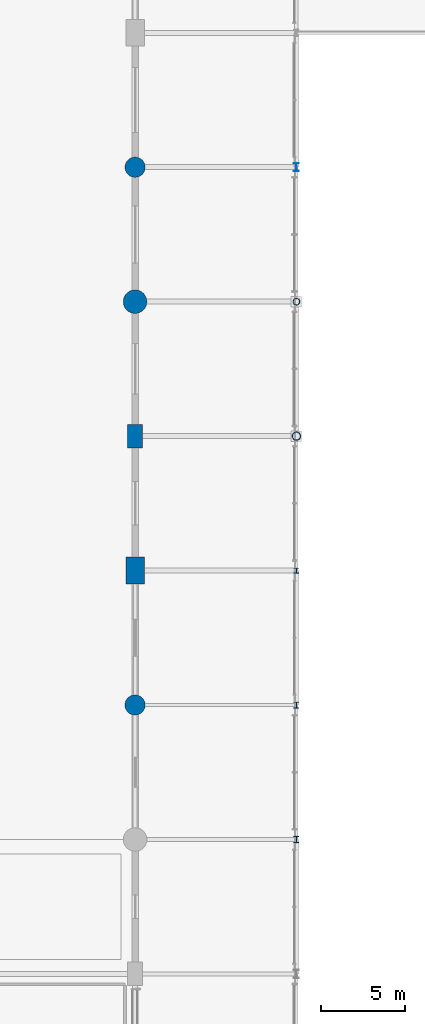
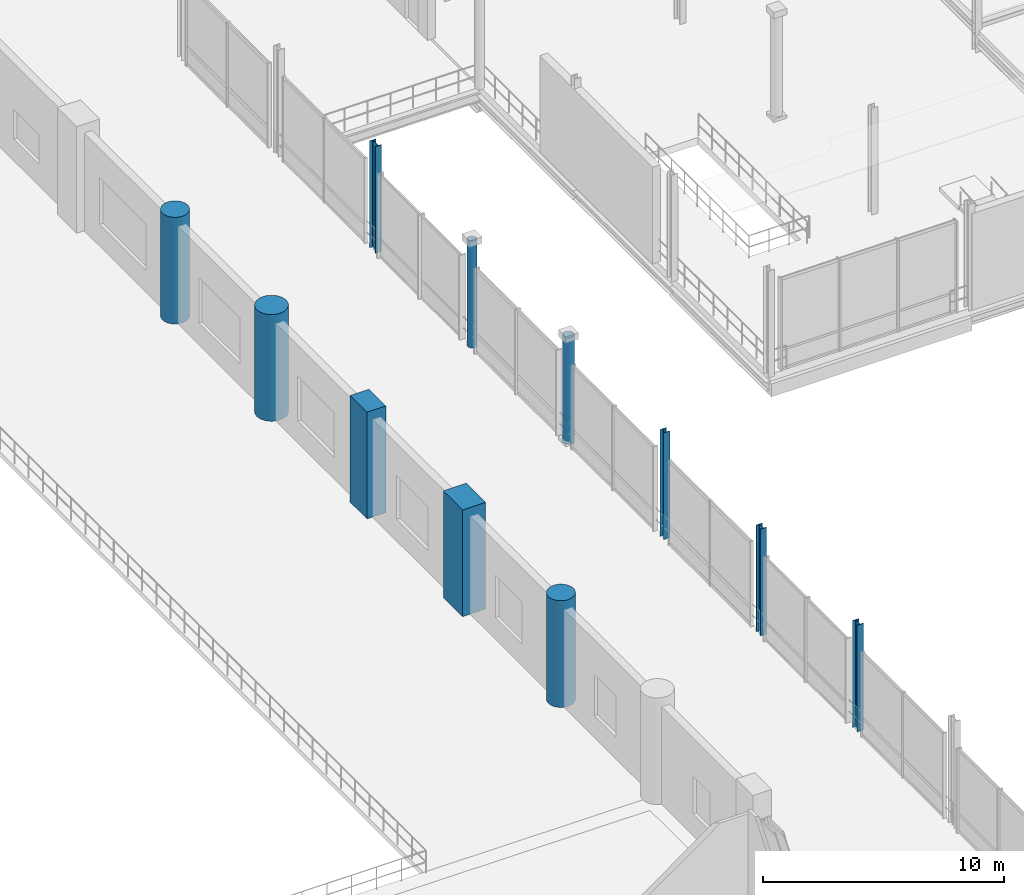
# One storey, part 10 of 129: 11 columns.
"""IFC4 building model written with IfcOpenShell, lengths in metres."""

from ifc_helpers import new_model, si_unit, direction, frame, origin, origin_2d, place, context, subcontext, project, spatial, rectangle, circle, hollow_circle, i_section, extrude, material, material_profile, profile_set, type_object, element, save


model = new_model("IFC4")

# Units and contexts
model_context = context("Model", 3, precision=1e-05, world=origin(), true_north=direction((0.0, 1.0)))
body_context = subcontext(model_context, "Body", "Model", "MODEL_VIEW")
ifc_project = project(units=[si_unit("LENGTHUNIT", "METRE"), si_unit("AREAUNIT", "SQUARE_METRE"), si_unit("VOLUMEUNIT", "CUBIC_METRE"), si_unit("PLANEANGLEUNIT", "RADIAN"), si_unit("MASSUNIT", "GRAM", prefix="KILO")], contexts=[model_context])

# Site, building, storey
site_placement = place(None, origin())
site = spatial("IfcSite", under=ifc_project, at=site_placement, CompositionType="ELEMENT")
building_placement = place(site_placement, origin())
building = spatial("IfcBuilding", under=site, at=building_placement, Name="Danafjord Basin Convention Centre", CompositionType="ELEMENT")
storey_placement = place(building_placement, frame((0.0, 0.0, 6.0)))
storey = spatial("IfcBuildingStorey", under=building, at=storey_placement, Name="L01", CompositionType="ELEMENT", Elevation=6.0)

# Columns
ifc_material_1 = material(Name="Steel S355", Category="steel")
ifc_material_profile_1 = material_profile(ifc_material_1, hollow_circle(Radius=0.203125, WallThickness=0.02001953125, at=origin_2d()), Name="CHS 406.4x20.0")
ifc_profile_set_1 = profile_set([ifc_material_profile_1], Name="Steel S355")
column_type_1 = type_object("IfcColumnType", Name="COL-C-CHS406", PredefinedType="COLUMN", material=ifc_profile_set_1)
column_1_placement = place(storey_placement, frame((124.800048828125, 96.0, 0.0), z_axis=(0.0, 0.0, 1.0), x_axis=(1.0, 0.0, 0.0)))
element("IfcColumn", 1, at=column_1_placement, inside=storey, type_object=column_type_1, Name="L01 column C-CHS406 at (124.8, 96.0)", PredefinedType="COLUMN", context=body_context, shape_type="SweptSolid", body=[
    extrude(hollow_circle(Radius=0.203125, WallThickness=0.02001953125, at=origin_2d()), origin(), (0.0, 0.0, 1.0), 5.39990234375),
])
ifc_material_profile_2 = material_profile(ifc_material_1, hollow_circle(Radius=0.25390625, WallThickness=0.02490234375, at=origin_2d()), Name="CHS 508.0x25.0")
ifc_profile_set_2 = profile_set([ifc_material_profile_2], Name="Steel S355")
column_type_2 = type_object("IfcColumnType", Name="COL-C-CHS508", PredefinedType="COLUMN", material=ifc_profile_set_2)
column_2_placement = place(storey_placement, frame((124.800048828125, 88.0, 0.0), z_axis=(0.0, 0.0, 1.0), x_axis=(1.0, 0.0, 0.0)))
element("IfcColumn", 2, at=column_2_placement, inside=storey, type_object=column_type_2, Name="L01 column C-CHS508 at (124.8, 88.0)", PredefinedType="COLUMN", context=body_context, shape_type="SweptSolid", body=[
    extrude(hollow_circle(Radius=0.25390625, WallThickness=0.02490234375, at=origin_2d()), origin(), (0.0, 0.0, 1.0), 5.39990234375),
])
ifc_material_profile_3 = material_profile(ifc_material_1, i_section(OverallWidth=0.300048828125, OverallDepth=0.300048828125, WebThickness=0.010986328125, FlangeThickness=0.01904296875, FilletRadius=0.027099609375, at=origin_2d()), Name="HEB 300")
ifc_profile_set_3 = profile_set([ifc_material_profile_3], Name="Steel S355")
column_type_3 = type_object("IfcColumnType", Name="COL-C-HEB300", PredefinedType="COLUMN", material=ifc_profile_set_3)
column_3_placement = place(storey_placement, frame((124.800048828125, 80.0, 0.0), z_axis=(0.0, 0.0, 1.0), x_axis=(1.0, 0.0, 0.0)))
element("IfcColumn", 3, at=column_3_placement, inside=storey, type_object=column_type_3, Name="L01 column C-HEB300 at (124.8, 80.0)", PredefinedType="COLUMN", context=body_context, shape_type="SweptSolid", body=[
    extrude(i_section(OverallWidth=0.300048828125, OverallDepth=0.300048828125, WebThickness=0.010986328125, FlangeThickness=0.01904296875, FilletRadius=0.027099609375, at=origin_2d()), origin(), (0.0, 0.0, 1.0), 5.39990234375),
])
ifc_material_profile_4 = material_profile(ifc_material_1, i_section(OverallWidth=0.300048828125, OverallDepth=0.360107421875, WebThickness=0.012451171875, FlangeThickness=0.0224609375, FilletRadius=0.027099609375, at=origin_2d()), Name="HEB 360")
ifc_profile_set_4 = profile_set([ifc_material_profile_4], Name="Steel S355")
column_type_4 = type_object("IfcColumnType", Name="COL-C-HEB360", PredefinedType="COLUMN", material=ifc_profile_set_4)
column_4_placement = place(storey_placement, frame((124.800048828125, 72.0, 0.0), z_axis=(0.0, 0.0, 1.0), x_axis=(1.0, 0.0, 0.0)))
element("IfcColumn", 4, at=column_4_placement, inside=storey, type_object=column_type_4, Name="L01 column C-HEB360 at (124.8, 72.0)", PredefinedType="COLUMN", context=body_context, shape_type="SweptSolid", body=[
    extrude(i_section(OverallWidth=0.300048828125, OverallDepth=0.360107421875, WebThickness=0.012451171875, FlangeThickness=0.0224609375, FilletRadius=0.027099609375, at=origin_2d()), origin(), (0.0, 0.0, 1.0), 5.39990234375),
])
ifc_material_profile_5 = material_profile(ifc_material_1, i_section(OverallWidth=0.300048828125, OverallDepth=0.39990234375, WebThickness=0.013427734375, FlangeThickness=0.02392578125, FilletRadius=0.027099609375, at=origin_2d()), Name="HEB 400")
ifc_profile_set_5 = profile_set([ifc_material_profile_5], Name="Steel S355")
column_type_5 = type_object("IfcColumnType", Name="COL-C-HEB400", PredefinedType="COLUMN", material=ifc_profile_set_5)
column_5_placement = place(storey_placement, frame((124.800048828125, 64.0, 0.0), z_axis=(0.0, 0.0, 1.0), x_axis=(1.0, 0.0, 0.0)))
element("IfcColumn", 5, at=column_5_placement, inside=storey, type_object=column_type_5, Name="L01 column C-HEB400 at (124.8, 64.0)", PredefinedType="COLUMN", context=body_context, shape_type="SweptSolid", body=[
    extrude(i_section(OverallWidth=0.300048828125, OverallDepth=0.39990234375, WebThickness=0.013427734375, FlangeThickness=0.02392578125, FilletRadius=0.027099609375, at=origin_2d()), origin(), (0.0, 0.0, 1.0), 5.39990234375),
])
ifc_material_profile_6 = material_profile(ifc_material_1, i_section(OverallWidth=0.300048828125, OverallDepth=0.5, WebThickness=0.014404296875, FlangeThickness=0.028076171875, FilletRadius=0.027099609375, at=origin_2d()), Name="HEB 500")
ifc_profile_set_6 = profile_set([ifc_material_profile_6], Name="Steel S355")
column_type_6 = type_object("IfcColumnType", Name="COL-C-HEB500", PredefinedType="COLUMN", material=ifc_profile_set_6)
column_6_placement = place(storey_placement, frame((124.800048828125, 104.0, 0.0), z_axis=(0.0, 0.0, 1.0), x_axis=(1.0, 0.0, 0.0)))
element("IfcColumn", 6, at=column_6_placement, inside=storey, type_object=column_type_6, Name="L01 column C-HEB500 at (124.8, 104.0)", PredefinedType="COLUMN", context=body_context, shape_type="SweptSolid", body=[
    extrude(i_section(OverallWidth=0.300048828125, OverallDepth=0.5, WebThickness=0.014404296875, FlangeThickness=0.028076171875, FilletRadius=0.027099609375, at=origin_2d()), origin(), (0.0, 0.0, 1.0), 5.39990234375),
])
ifc_material_2 = material(Name="Concrete C50/60", Category="concrete")
ifc_material_profile_7 = material_profile(ifc_material_2, rectangle(XDim=0.89990234375, YDim=1.39990234375, at=origin_2d()), Name="RC 1400x900")
ifc_profile_set_7 = profile_set([ifc_material_profile_7], Name="Concrete C50/60")
column_type_7 = type_object("IfcColumnType", Name="COL-C-RC1400", PredefinedType="COLUMN", material=ifc_profile_set_7)
column_7_placement = place(storey_placement, frame((115.199951171875, 88.0, 0.0), z_axis=(0.0, 0.0, 1.0), x_axis=(1.0, 0.0, 0.0)))
element("IfcColumn", 7, at=column_7_placement, inside=storey, type_object=column_type_7, Name="L01 column C-RC1400 at (115.2, 88.0)", PredefinedType="COLUMN", context=body_context, shape_type="SweptSolid", body=[
    extrude(rectangle(XDim=0.89990234375, YDim=1.39990234375, at=origin_2d()), origin(), (0.0, 0.0, 1.0), 5.39990234375),
])
ifc_material_profile_8 = material_profile(ifc_material_2, rectangle(XDim=1.10009765625, YDim=1.60009765625, at=origin_2d()), Name="RC 1600x1100")
ifc_profile_set_8 = profile_set([ifc_material_profile_8], Name="Concrete C50/60")
column_type_8 = type_object("IfcColumnType", Name="COL-C-RC1600", PredefinedType="COLUMN", material=ifc_profile_set_8)
column_8_placement = place(storey_placement, frame((115.199951171875, 80.0, 0.0), z_axis=(0.0, 0.0, 1.0), x_axis=(1.0, 0.0, 0.0)))
element("IfcColumn", 8, at=column_8_placement, inside=storey, type_object=column_type_8, Name="L01 column C-RC1600 at (115.2, 80.0)", PredefinedType="COLUMN", context=body_context, shape_type="SweptSolid", body=[
    extrude(rectangle(XDim=1.10009765625, YDim=1.60009765625, at=origin_2d()), origin(), (0.0, 0.0, 1.0), 5.39990234375),
])
ifc_material_profile_9 = material_profile(ifc_material_2, circle(Radius=0.60009765625, at=origin_2d()), Name="RC D1200")
ifc_profile_set_9 = profile_set([ifc_material_profile_9], Name="Concrete C50/60")
column_type_9 = type_object("IfcColumnType", Name="COL-C-RCD1200", PredefinedType="COLUMN", material=ifc_profile_set_9)
for number, where, z_axis, x_axis, name in (
    (9, (115.199951171875, 72.0, 0.0), (0.0, 0.0, 1.0), (1.0, 0.0, 0.0), "L01 column C-RCD1200 at (115.2, 72.0)"),
    (10, (115.199951171875, 104.0, 0.0), (0.0, 0.0, 1.0), (1.0, 0.0, 0.0), "L01 column C-RCD1200 at (115.2, 104.0)"),
):
    element("IfcColumn", number, at=place(storey_placement, frame(where, z_axis=z_axis, x_axis=x_axis)), inside=storey, type_object=column_type_9, Name=name, PredefinedType="COLUMN", context=body_context, shape_type="SweptSolid", body=[
        extrude(circle(Radius=0.60009765625, at=origin_2d()), origin(), (0.0, 0.0, 1.0), 5.39990234375),
    ])
ifc_material_profile_10 = material_profile(ifc_material_2, circle(Radius=0.699951171875, at=origin_2d()), Name="RC D1400")
ifc_profile_set_10 = profile_set([ifc_material_profile_10], Name="Concrete C50/60")
column_type_10 = type_object("IfcColumnType", Name="COL-C-RCD1400", PredefinedType="COLUMN", material=ifc_profile_set_10)
column_9_placement = place(storey_placement, frame((115.199951171875, 96.0, 0.0), z_axis=(0.0, 0.0, 1.0), x_axis=(1.0, 0.0, 0.0)))
element("IfcColumn", 11, at=column_9_placement, inside=storey, type_object=column_type_10, Name="L01 column C-RCD1400 at (115.2, 96.0)", PredefinedType="COLUMN", context=body_context, shape_type="SweptSolid", body=[
    extrude(circle(Radius=0.699951171875, at=origin_2d()), origin(), (0.0, 0.0, 1.0), 5.39990234375),
])

save(model, "model.ifc")
